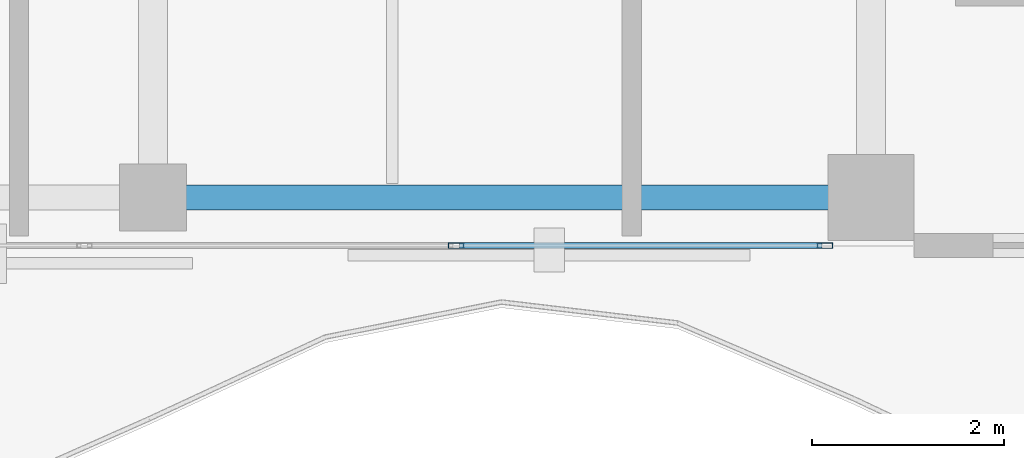
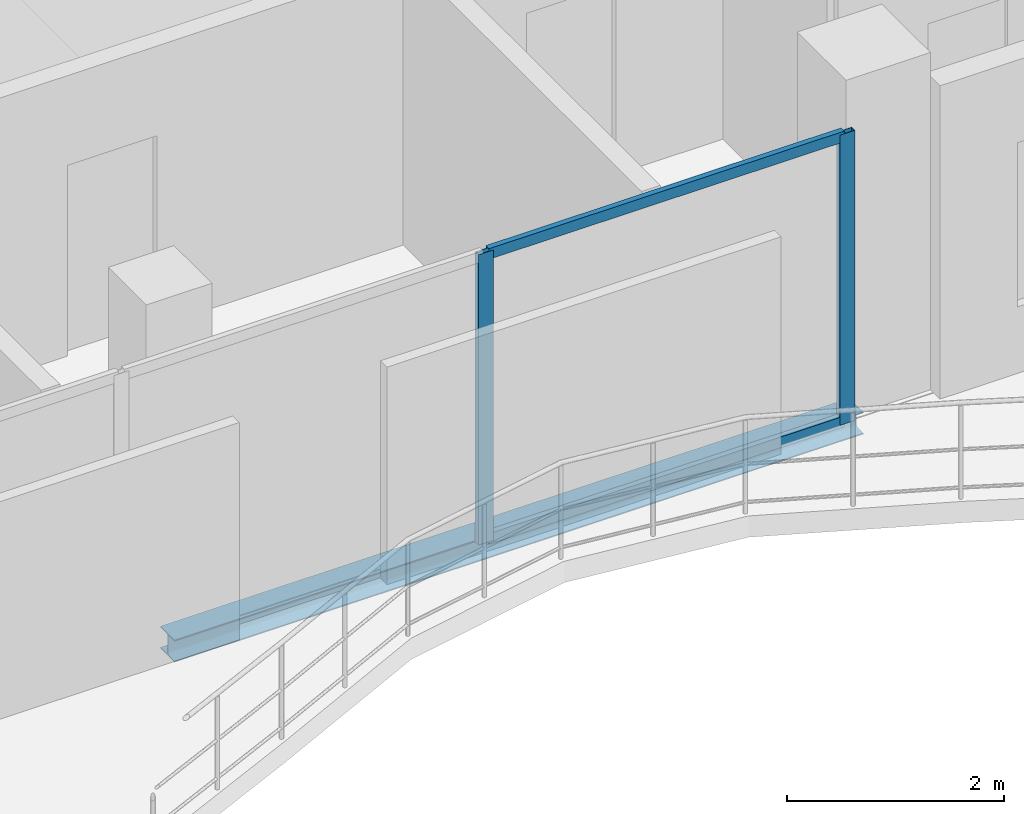
# One storey, part 6 of 16: 4 members, 1 beam, 1 element without a shape of its own.
"""IFC4 building model written with IfcOpenShell, lengths in metres."""

from ifc_helpers import new_model, si_unit, direction, frame, origin, origin_2d, place, context, subcontext, project, spatial, hollow_rectangle, i_section, extrude, material, layer, layer_set, material_profile, profile_set, type_object, element, aggregate, save


model = new_model("IFC4")

# Units and contexts
model_context = context("Model", 3, precision=1e-05, world=origin(), true_north=direction((0.0, 1.0)))
body_context = subcontext(model_context, "Body", "Model", "MODEL_VIEW")
ifc_project = project(units=[si_unit("LENGTHUNIT", "METRE"), si_unit("AREAUNIT", "SQUARE_METRE"), si_unit("VOLUMEUNIT", "CUBIC_METRE"), si_unit("PLANEANGLEUNIT", "RADIAN"), si_unit("MASSUNIT", "GRAM", prefix="KILO")], contexts=[model_context])

# Site, building, storey
site_placement = place(None, origin())
site = spatial("IfcSite", under=ifc_project, at=site_placement, CompositionType="ELEMENT")
building_placement = place(site_placement, origin())
building = spatial("IfcBuilding", under=site, at=building_placement, Name="Catumbela Crestline Tower", CompositionType="ELEMENT")
storey_placement = place(building_placement, frame((0.0, 0.0, 275.4)))
storey = spatial("IfcBuildingStorey", under=building, at=storey_placement, Name="L71", CompositionType="ELEMENT", Elevation=275.4)

# Curtain wall, members
ifc_material_1 = material(Name="Aluminium alloy AW-6060-T66", Category="aluminium")
ifc_layer = layer(ifc_material_1, 0.18, Name="Aluminium alloy AW-6060-T66")
ifc_layer_set = layer_set([ifc_layer], Name="Aluminium alloy AW-6060-T66")
curtain_wall_type = type_object("IfcCurtainWallType", Name="CWU-Z4", PredefinedType="USERDEFINED", material=ifc_layer_set)
curtain_wall_placement = place(storey_placement, origin())
curtain_wall = element("IfcCurtainWall", 1, at=curtain_wall_placement, inside=storey, type_object=curtain_wall_type, Name="L71 Unitised Curtain Wall CW-L71-E3S2", ObjectType="UNITISED", PredefinedType="USERDEFINED")
ifc_material_profile_1 = material_profile(ifc_material_1, hollow_rectangle(XDim=0.06, YDim=0.16, WallThickness=0.004, at=origin_2d()), Name="ALU 160x60x4")
ifc_profile_set_1 = profile_set([ifc_material_profile_1], Name="Aluminium alloy AW-6060-T66")
member_type_1 = type_object("IfcMemberType", Name="MUL-160X60", PredefinedType="MULLION", material=ifc_profile_set_1)
member_1_placement = place(storey_placement, frame((35.1667, 24.0, 0.0), z_axis=(0.0, 0.0, 1.0), x_axis=(0.0, 1.0, 0.0)))
member_1 = element("IfcMember", 2, at=member_1_placement, type_object=member_type_1, Name="CWU-Z4 mullion 3", PredefinedType="MULLION", context=body_context, shape_type="SweptSolid", body=[
    extrude(hollow_rectangle(XDim=0.06, YDim=0.16, WallThickness=0.004, at=origin_2d()), origin(), (0.0, 0.0, 1.0), 3.27),
])
member_2_placement = place(storey_placement, frame((39.0175, 24.0, 0.0), z_axis=(0.0, 0.0, 1.0), x_axis=(0.0, 1.0, 0.0)))
member_2 = element("IfcMember", 3, at=member_2_placement, type_object=member_type_1, Name="CWU-Z4 mullion 4", PredefinedType="MULLION", context=body_context, shape_type="SweptSolid", body=[
    extrude(hollow_rectangle(XDim=0.06, YDim=0.16, WallThickness=0.004, at=origin_2d()), origin(), (0.0, 0.0, 1.0), 3.27),
])

# Beam
ifc_material_2 = material(Name="Structural steel S355J2", Category="steel")
ifc_material_profile_2 = material_profile(ifc_material_2, i_section(OverallWidth=0.26, OverallDepth=0.25, WebThickness=0.0075, FlangeThickness=0.0125, FilletRadius=0.024, at=origin_2d()), Name="HEA 260")
ifc_profile_set_2 = profile_set([ifc_material_profile_2], Name="Structural steel S355J2")
beam_type = type_object("IfcBeamType", Name="BS-HEA260", PredefinedType="SPANDREL", material=ifc_profile_set_2)
beam_placement = place(storey_placement, frame((32.08, 24.5, -0.385), z_axis=(1.0, 0.0, 0.0), x_axis=(0.0, 1.0, 0.0)))
element("IfcBeam", 4, at=beam_placement, inside=storey, type_object=beam_type, Name="L71 Spandrel SP-L71-S03", PredefinedType="SPANDREL", context=body_context, shape_type="SweptSolid", body=[
    extrude(i_section(OverallWidth=0.26, OverallDepth=0.25, WebThickness=0.0075, FlangeThickness=0.0125, FilletRadius=0.024, at=origin_2d()), origin(), (0.0, 0.0, 1.0), 7.34),
])

# Member
ifc_material_profile_3 = material_profile(ifc_material_1, hollow_rectangle(XDim=0.06, YDim=0.12, WallThickness=0.0035, at=origin_2d()), Name="ALU 120x60x3.5")
ifc_profile_set_3 = profile_set([ifc_material_profile_3], Name="Aluminium alloy AW-6060-T66")
member_type_2 = type_object("IfcMemberType", Name="TRN-120X60", PredefinedType="USERDEFINED", material=ifc_profile_set_3)
member_3_placement = place(storey_placement, frame((35.1992, 24.0, 0.03), z_axis=(1.0, 0.0, 0.0), x_axis=(0.0, 1.0, 0.0)))
member_3 = element("IfcMember", 5, at=member_3_placement, type_object=member_type_2, Name="CWU-Z4 transom 3.1", ObjectType="TRANSOM", PredefinedType="USERDEFINED", context=body_context, shape_type="SweptSolid", body=[
    extrude(hollow_rectangle(XDim=0.06, YDim=0.12, WallThickness=0.0035, at=origin_2d()), origin(), (0.0, 0.0, 1.0), 3.7858),
])

member_4_placement = place(storey_placement, frame((35.1992, 24.0, 3.24), z_axis=(1.0, 0.0, 0.0), x_axis=(0.0, 1.0, 0.0)))
member_4 = element("IfcMember", 6, at=member_4_placement, type_object=member_type_2, Name="CWU-Z4 transom 3.2", ObjectType="TRANSOM", PredefinedType="USERDEFINED", context=body_context, shape_type="SweptSolid", body=[
    extrude(hollow_rectangle(XDim=0.06, YDim=0.12, WallThickness=0.0035, at=origin_2d()), origin(), (0.0, 0.0, 1.0), 3.7858),
])

aggregate(curtain_wall, [member_1, member_2, member_3, member_4])

save(model, "model.ifc")
